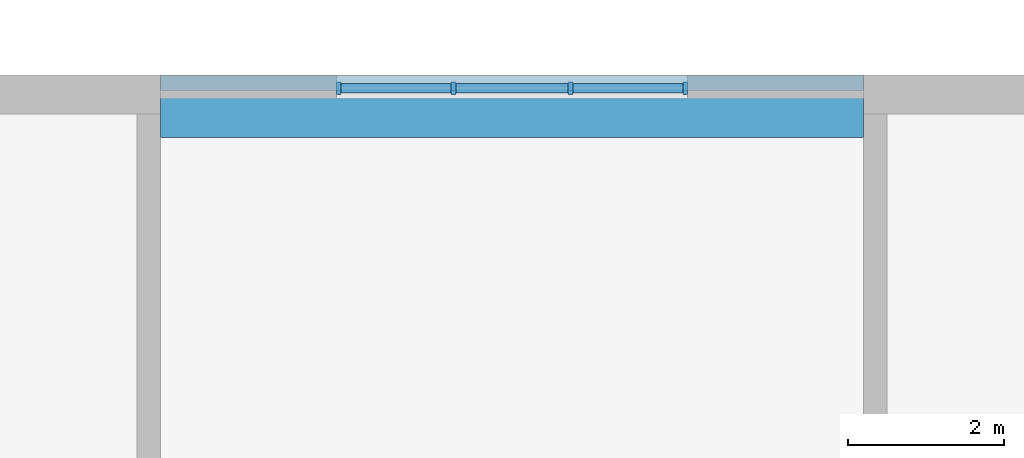
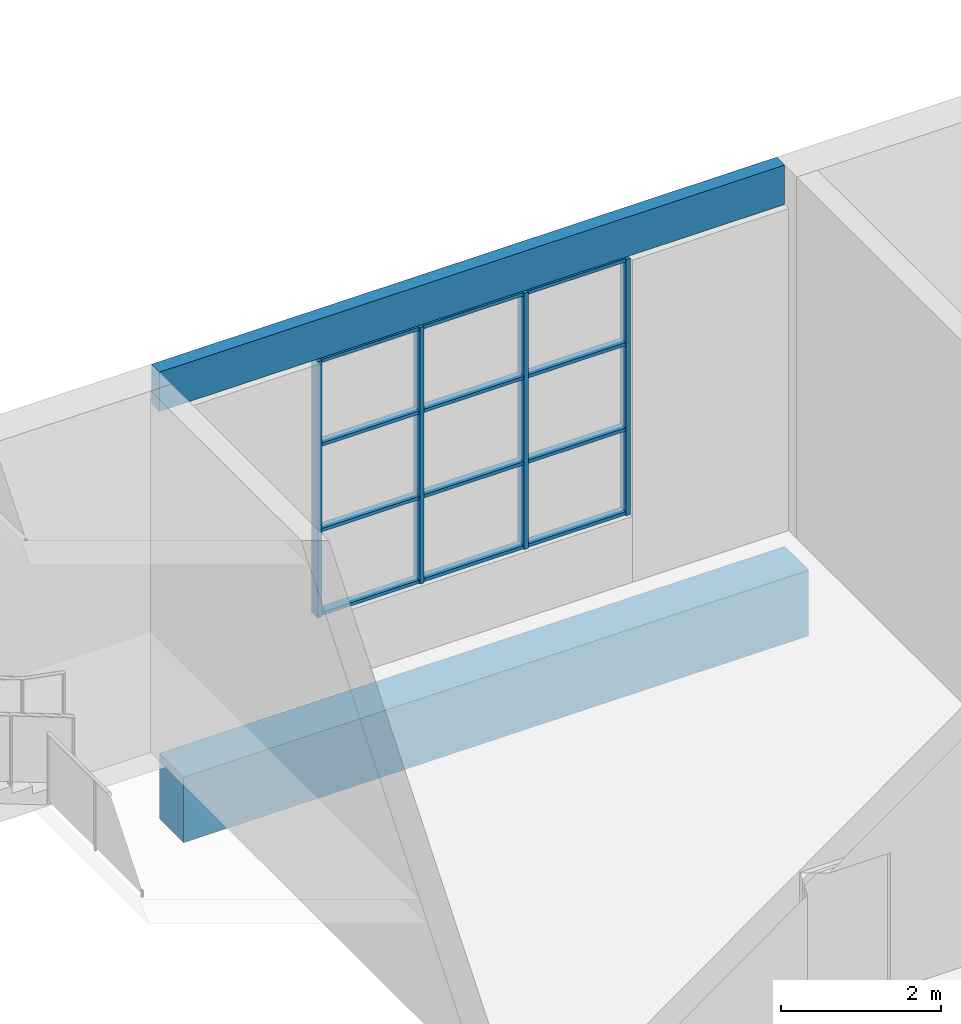
# One storey, part 14 of 84: 16 members, 2 beams, 1 element without a shape of its own.
"""IFC4 building model written with IfcOpenShell, lengths in metres."""

from ifc_helpers import new_model, si_unit, direction, frame, origin, origin_2d, place, context, subcontext, project, spatial, rectangle, extrude, material, material_profile, profile_set, type_object, element, aggregate, save


model = new_model("IFC4")

# Units and contexts
model_context = context("Model", 3, precision=1e-05, world=origin(), true_north=direction((0.0, 1.0)))
body_context = subcontext(model_context, "Body", "Model", "MODEL_VIEW")
ifc_project = project(units=[si_unit("LENGTHUNIT", "METRE"), si_unit("AREAUNIT", "SQUARE_METRE"), si_unit("VOLUMEUNIT", "CUBIC_METRE"), si_unit("PLANEANGLEUNIT", "RADIAN"), si_unit("MASSUNIT", "GRAM", prefix="KILO")], contexts=[model_context])

# Site, building, storey
site_placement = place(None, origin())
site = spatial("IfcSite", under=ifc_project, at=site_placement, CompositionType="ELEMENT")
building_placement = place(site_placement, origin())
building = spatial("IfcBuilding", under=site, at=building_placement, Name="Silverbay Arena", CompositionType="ELEMENT")
storey_placement = place(building_placement, frame((0.0, 0.0, 28.0)))
storey = spatial("IfcBuildingStorey", under=building, at=storey_placement, Name="L04", CompositionType="ELEMENT", Elevation=28.0)

# Curtain wall, members
ifc_material_1 = material(Name="Aluminium framed curtain wall", Category="aluminium")
curtain_wall_type = type_object("IfcCurtainWallType", Name="Curtain wall 4500 x 3900", PredefinedType="NOTDEFINED", material=ifc_material_1)
curtain_wall_placement = place(storey_placement, origin())
curtain_wall = element("IfcCurtainWall", 1, at=curtain_wall_placement, inside=storey, type_object=curtain_wall_type, Name="North curtain wall L04 bay 3", PredefinedType="NOTDEFINED")
ifc_material_2 = material(Name="Aluminium", Category="aluminium")
ifc_material_profile_1 = material_profile(ifc_material_2, rectangle(XDim=0.159912109375, YDim=0.06005859375, at=origin_2d()), Name="Mullion 60 x 160")
ifc_profile_set_1 = profile_set([ifc_material_profile_1], Name="Aluminium")
member_type_1 = type_object("IfcMemberType", Name="Mullion 60 x 160", PredefinedType="MULLION", material=ifc_profile_set_1)
member_1_placement = place(storey_placement, frame((78.719970703125, 144.330078125, 1.0), z_axis=(0.0, 0.0, 1.0), x_axis=(0.0, -1.0, 0.0)))
member_1 = element("IfcMember", 2, at=member_1_placement, type_object=member_type_1, Name="CW15 mullion 1", PredefinedType="MULLION", context=body_context, shape_type="SweptSolid", body=[
    extrude(rectangle(XDim=0.159912109375, YDim=0.06005859375, at=origin_2d()), origin(), (0.0, 0.0, 1.0), 3.89990234375),
])
member_2_placement = place(storey_placement, frame((77.25, 144.330078125, 1.0), z_axis=(0.0, 0.0, 1.0), x_axis=(0.0, -1.0, 0.0)))
member_2 = element("IfcMember", 3, at=member_2_placement, type_object=member_type_1, Name="CW15 mullion 2", PredefinedType="MULLION", context=body_context, shape_type="SweptSolid", body=[
    extrude(rectangle(XDim=0.159912109375, YDim=0.06005859375, at=origin_2d()), origin(), (0.0, 0.0, 1.0), 3.89990234375),
])
member_3_placement = place(storey_placement, frame((75.75, 144.330078125, 1.0), z_axis=(0.0, 0.0, 1.0), x_axis=(0.0, -1.0, 0.0)))
member_3 = element("IfcMember", 4, at=member_3_placement, type_object=member_type_1, Name="CW15 mullion 3", PredefinedType="MULLION", context=body_context, shape_type="SweptSolid", body=[
    extrude(rectangle(XDim=0.159912109375, YDim=0.06005859375, at=origin_2d()), origin(), (0.0, 0.0, 1.0), 3.89990234375),
])
member_4_placement = place(storey_placement, frame((74.280029296875, 144.330078125, 1.0), z_axis=(0.0, 0.0, 1.0), x_axis=(0.0, -1.0, 0.0)))
member_4 = element("IfcMember", 5, at=member_4_placement, type_object=member_type_1, Name="CW15 mullion 4", PredefinedType="MULLION", context=body_context, shape_type="SweptSolid", body=[
    extrude(rectangle(XDim=0.159912109375, YDim=0.06005859375, at=origin_2d()), origin(), (0.0, 0.0, 1.0), 3.89990234375),
])

# Beams
ifc_material_3 = material(Name="Concrete Grade C45", Category="concrete")
ifc_material_profile_2 = material_profile(ifc_material_3, rectangle(XDim=0.60009765625, YDim=1.0, at=origin_2d()), Name="RC 600x1000")
ifc_profile_set_2 = profile_set([ifc_material_profile_2], Name="Concrete Grade C45")
beam_type_1 = type_object("IfcBeamType", Name="RC beam 600x1000", PredefinedType="BEAM", material=ifc_profile_set_2)
beam_1_placement = place(storey_placement, frame((72.0, 144.0, -0.800048828125), z_axis=(1.0, 0.0, 0.0), x_axis=(0.0, 1.0, 0.0)))
element("IfcBeam", 6, at=beam_1_placement, inside=storey, type_object=beam_type_1, Name="Floor beam L04 072", PredefinedType="BEAM", context=body_context, shape_type="SweptSolid", body=[
    extrude(rectangle(XDim=0.60009765625, YDim=1.0, at=origin_2d()), origin(), (0.0, 0.0, 1.0), 9.0),
])
ifc_material_4 = material(Name="Concrete Grade C45", Category="concrete")
ifc_material_profile_3 = material_profile(ifc_material_4, rectangle(XDim=0.199951171875, YDim=0.60009765625, at=origin_2d()), Name="RC 200x600")
ifc_profile_set_3 = profile_set([ifc_material_profile_3], Name="Concrete Grade C45")
beam_type_2 = type_object("IfcBeamType", Name="RC facade beam 200x600", PredefinedType="SPANDREL", material=ifc_profile_set_3)
beam_2_placement = place(storey_placement, frame((72.0, 144.39990234375, 5.199951171875), z_axis=(1.0, 0.0, 0.0), x_axis=(0.0, 1.0, 0.0)))
element("IfcBeam", 7, at=beam_2_placement, inside=storey, type_object=beam_type_2, Name="Facade beam L04 north", PredefinedType="SPANDREL", context=body_context, shape_type="SweptSolid", body=[
    extrude(rectangle(XDim=0.199951171875, YDim=0.60009765625, at=origin_2d()), origin(), (0.0, 0.0, 1.0), 9.0),
])

# Member
ifc_material_5 = material(Name="Aluminium", Category="aluminium")
ifc_material_profile_4 = material_profile(ifc_material_5, rectangle(XDim=0.1201171875, YDim=0.050048828125, at=origin_2d()), Name="Transom 50 x 120")
ifc_profile_set_4 = profile_set([ifc_material_profile_4], Name="Aluminium")
member_type_2 = type_object("IfcMemberType", Name="Transom 50 x 120", PredefinedType="USERDEFINED", material=ifc_profile_set_4)
member_5_placement = place(storey_placement, frame((78.68994140625, 144.330078125, 1.02490234375), z_axis=(-1.0, 0.0, 0.0), x_axis=(0.0, -1.0, 0.0)))
member_5 = element("IfcMember", 8, at=member_5_placement, type_object=member_type_2, Name="CW15 transom 1.1", ObjectType="TRANSOM", PredefinedType="USERDEFINED", context=body_context, shape_type="SweptSolid", body=[
    extrude(rectangle(XDim=0.1201171875, YDim=0.050048828125, at=origin_2d()), origin(), (0.0, 0.0, 1.0), 1.409912109375),
])

member_6_placement = place(storey_placement, frame((78.68994140625, 144.330078125, 2.300048828125), z_axis=(-1.0, 0.0, 0.0), x_axis=(0.0, -1.0, 0.0)))
member_6 = element("IfcMember", 9, at=member_6_placement, type_object=member_type_2, Name="CW15 transom 1.2", ObjectType="TRANSOM", PredefinedType="USERDEFINED", context=body_context, shape_type="SweptSolid", body=[
    extrude(rectangle(XDim=0.1201171875, YDim=0.050048828125, at=origin_2d()), origin(), (0.0, 0.0, 1.0), 1.409912109375),
])

member_7_placement = place(storey_placement, frame((78.68994140625, 144.330078125, 3.60009765625), z_axis=(-1.0, 0.0, 0.0), x_axis=(0.0, -1.0, 0.0)))
member_7 = element("IfcMember", 10, at=member_7_placement, type_object=member_type_2, Name="CW15 transom 1.3", ObjectType="TRANSOM", PredefinedType="USERDEFINED", context=body_context, shape_type="SweptSolid", body=[
    extrude(rectangle(XDim=0.1201171875, YDim=0.050048828125, at=origin_2d()), origin(), (0.0, 0.0, 1.0), 1.409912109375),
])

member_8_placement = place(storey_placement, frame((78.68994140625, 144.330078125, 4.875), z_axis=(-1.0, 0.0, 0.0), x_axis=(0.0, -1.0, 0.0)))
member_8 = element("IfcMember", 11, at=member_8_placement, type_object=member_type_2, Name="CW15 transom 1.4", ObjectType="TRANSOM", PredefinedType="USERDEFINED", context=body_context, shape_type="SweptSolid", body=[
    extrude(rectangle(XDim=0.1201171875, YDim=0.050048828125, at=origin_2d()), origin(), (0.0, 0.0, 1.0), 1.409912109375),
])

member_9_placement = place(storey_placement, frame((77.219970703125, 144.330078125, 1.02490234375), z_axis=(-1.0, 0.0, 0.0), x_axis=(0.0, -1.0, 0.0)))
member_9 = element("IfcMember", 12, at=member_9_placement, type_object=member_type_2, Name="CW15 transom 2.1", ObjectType="TRANSOM", PredefinedType="USERDEFINED", context=body_context, shape_type="SweptSolid", body=[
    extrude(rectangle(XDim=0.1201171875, YDim=0.050048828125, at=origin_2d()), origin(), (0.0, 0.0, 1.0), 1.43994140625),
])

member_10_placement = place(storey_placement, frame((77.219970703125, 144.330078125, 2.300048828125), z_axis=(-1.0, 0.0, 0.0), x_axis=(0.0, -1.0, 0.0)))
member_10 = element("IfcMember", 13, at=member_10_placement, type_object=member_type_2, Name="CW15 transom 2.2", ObjectType="TRANSOM", PredefinedType="USERDEFINED", context=body_context, shape_type="SweptSolid", body=[
    extrude(rectangle(XDim=0.1201171875, YDim=0.050048828125, at=origin_2d()), origin(), (0.0, 0.0, 1.0), 1.43994140625),
])

member_11_placement = place(storey_placement, frame((77.219970703125, 144.330078125, 3.60009765625), z_axis=(-1.0, 0.0, 0.0), x_axis=(0.0, -1.0, 0.0)))
member_11 = element("IfcMember", 14, at=member_11_placement, type_object=member_type_2, Name="CW15 transom 2.3", ObjectType="TRANSOM", PredefinedType="USERDEFINED", context=body_context, shape_type="SweptSolid", body=[
    extrude(rectangle(XDim=0.1201171875, YDim=0.050048828125, at=origin_2d()), origin(), (0.0, 0.0, 1.0), 1.43994140625),
])

member_12_placement = place(storey_placement, frame((77.219970703125, 144.330078125, 4.875), z_axis=(-1.0, 0.0, 0.0), x_axis=(0.0, -1.0, 0.0)))
member_12 = element("IfcMember", 15, at=member_12_placement, type_object=member_type_2, Name="CW15 transom 2.4", ObjectType="TRANSOM", PredefinedType="USERDEFINED", context=body_context, shape_type="SweptSolid", body=[
    extrude(rectangle(XDim=0.1201171875, YDim=0.050048828125, at=origin_2d()), origin(), (0.0, 0.0, 1.0), 1.43994140625),
])

member_13_placement = place(storey_placement, frame((75.719970703125, 144.330078125, 1.02490234375), z_axis=(-1.0, 0.0, 0.0), x_axis=(0.0, -1.0, 0.0)))
member_13 = element("IfcMember", 16, at=member_13_placement, type_object=member_type_2, Name="CW15 transom 3.1", ObjectType="TRANSOM", PredefinedType="USERDEFINED", context=body_context, shape_type="SweptSolid", body=[
    extrude(rectangle(XDim=0.1201171875, YDim=0.050048828125, at=origin_2d()), origin(), (0.0, 0.0, 1.0), 1.409912109375),
])

member_14_placement = place(storey_placement, frame((75.719970703125, 144.330078125, 2.300048828125), z_axis=(-1.0, 0.0, 0.0), x_axis=(0.0, -1.0, 0.0)))
member_14 = element("IfcMember", 17, at=member_14_placement, type_object=member_type_2, Name="CW15 transom 3.2", ObjectType="TRANSOM", PredefinedType="USERDEFINED", context=body_context, shape_type="SweptSolid", body=[
    extrude(rectangle(XDim=0.1201171875, YDim=0.050048828125, at=origin_2d()), origin(), (0.0, 0.0, 1.0), 1.409912109375),
])

member_15_placement = place(storey_placement, frame((75.719970703125, 144.330078125, 3.60009765625), z_axis=(-1.0, 0.0, 0.0), x_axis=(0.0, -1.0, 0.0)))
member_15 = element("IfcMember", 18, at=member_15_placement, type_object=member_type_2, Name="CW15 transom 3.3", ObjectType="TRANSOM", PredefinedType="USERDEFINED", context=body_context, shape_type="SweptSolid", body=[
    extrude(rectangle(XDim=0.1201171875, YDim=0.050048828125, at=origin_2d()), origin(), (0.0, 0.0, 1.0), 1.409912109375),
])

member_16_placement = place(storey_placement, frame((75.719970703125, 144.330078125, 4.875), z_axis=(-1.0, 0.0, 0.0), x_axis=(0.0, -1.0, 0.0)))
member_16 = element("IfcMember", 19, at=member_16_placement, type_object=member_type_2, Name="CW15 transom 3.4", ObjectType="TRANSOM", PredefinedType="USERDEFINED", context=body_context, shape_type="SweptSolid", body=[
    extrude(rectangle(XDim=0.1201171875, YDim=0.050048828125, at=origin_2d()), origin(), (0.0, 0.0, 1.0), 1.409912109375),
])

aggregate(curtain_wall, [member_1, member_2, member_3, member_4, member_5, member_6, member_7, member_8, member_9, member_10, member_11, member_12, member_13, member_14, member_15, member_16])

save(model, "model.ifc")
